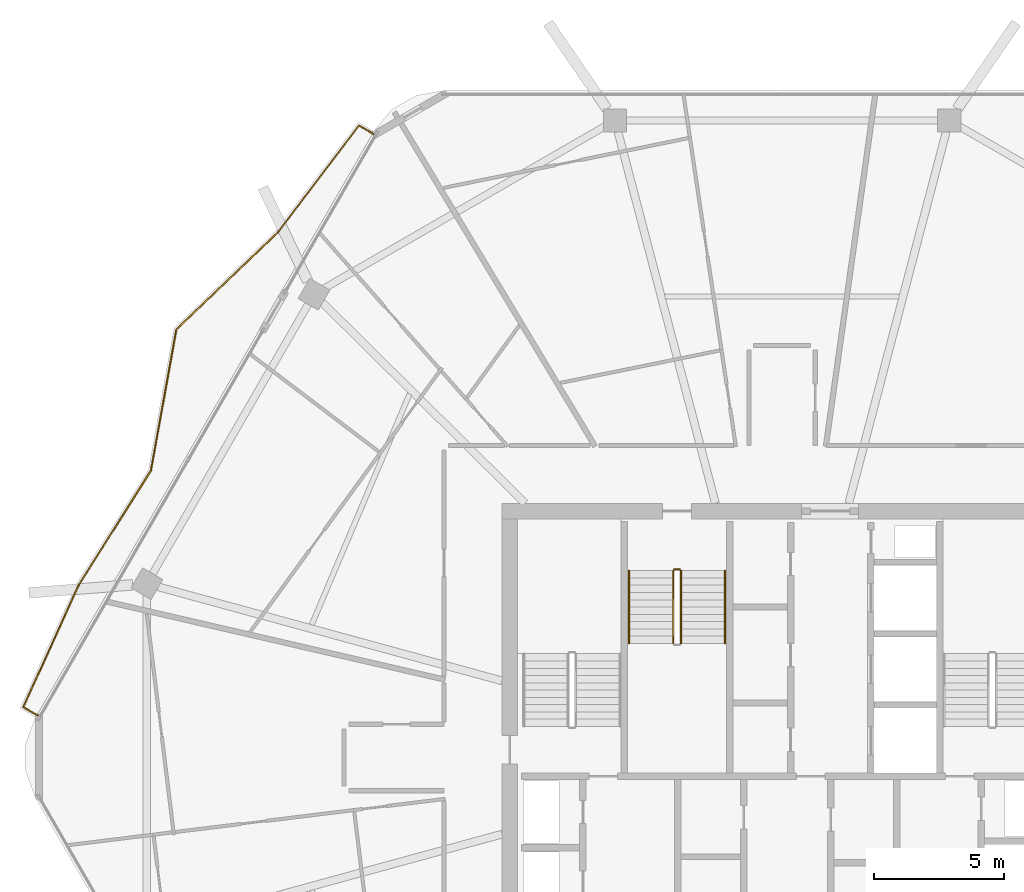
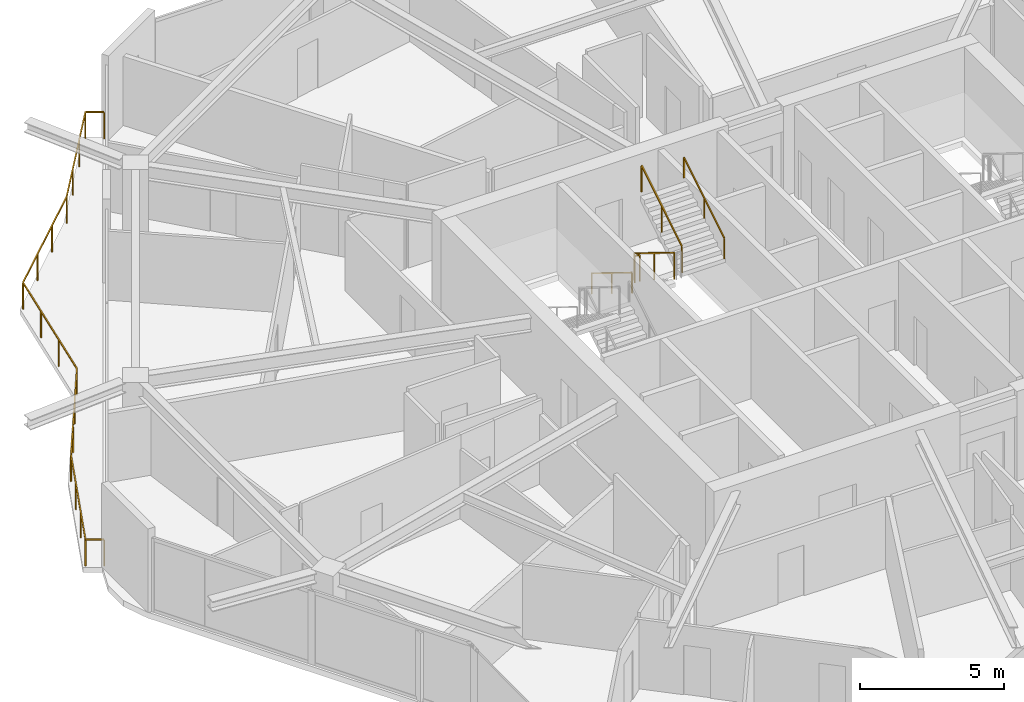
# One storey, part 25 of 25: 6 railings.
"""IFC4 building model written with IfcOpenShell, lengths in metres."""

from ifc_helpers import new_model, si_unit, direction, frame, origin, origin_2d, place, context, subcontext, project, spatial, rectangle, extrude, material, type_object, element, save


model = new_model("IFC4")

# Units and contexts
model_context = context("Model", 3, precision=1e-05, world=origin(), true_north=direction((0.0, 1.0)))
body_context = subcontext(model_context, "Body", "Model", "MODEL_VIEW")
ifc_project = project(units=[si_unit("LENGTHUNIT", "METRE"), si_unit("AREAUNIT", "SQUARE_METRE"), si_unit("VOLUMEUNIT", "CUBIC_METRE"), si_unit("PLANEANGLEUNIT", "RADIAN"), si_unit("MASSUNIT", "GRAM", prefix="KILO")], contexts=[model_context])

# Site, building, storey
site_placement = place(None, origin())
site = spatial("IfcSite", under=ifc_project, at=site_placement, CompositionType="ELEMENT")
building_placement = place(site_placement, origin())
building = spatial("IfcBuilding", under=site, at=building_placement, Name="Zuhravey Tower", CompositionType="ELEMENT")
storey_placement = place(building_placement, frame((0.0, 0.0, 257.800048828125)))
storey = spatial("IfcBuildingStorey", under=building, at=storey_placement, Name="L65", CompositionType="ELEMENT", Elevation=257.800048828125)

# Railings
ifc_material_1 = material(Name="Stainless steel 316 and laminated glass", Category="steel")
railing_type_1 = type_object("IfcRailingType", Name="Balcony & Terrace Guardrail 1150", PredefinedType="BALUSTRADE", material=ifc_material_1)
railing_1_placement = place(storey_placement, frame((7.31689453125, 33.61669921875, 0.0)))
element("IfcRailing", 1, at=railing_1_placement, inside=storey, type_object=railing_type_1, Name="L65 Face 3 Wave Balcony Guardrail GR1", PredefinedType="BALUSTRADE", context=body_context, shape_type="SweptSolid", body=[
    extrude(rectangle(XDim=0.048095703125, YDim=0.048095703125, at=origin_2d()), frame((-0.001708984375, 0.0009765625, 1.1259765625), z_axis=(-0.866060399857, 0.499939380126, 0.0), x_axis=(-0.499939380126, -0.866060399857, 0.0)), (0.0, 0.0, 1.0), 0.6455078125),
    extrude(rectangle(XDim=0.048095703125, YDim=0.048095703125, at=origin_2d()), frame((-0.561767578125, 0.326416015625, 1.1259765625), z_axis=(0.413044740451, 0.910710734748, 0.0), x_axis=(-0.910710734748, 0.413044740451, 0.0)), (0.0, 0.0, 1.0), 5.14013671875),
    extrude(rectangle(XDim=0.048095703125, YDim=0.048095703125, at=origin_2d()), frame((1.563232421875, 5.01123046875, 1.1259765625), z_axis=(0.533475091044, 0.84581577618, 0.0), x_axis=(-0.84581577618, 0.533475091044, 0.0)), (0.0, 0.0, 1.0), 5.229248046875),
    extrude(rectangle(XDim=0.048095703125, YDim=0.048095703125, at=origin_2d()), frame((4.354248046875, 9.437744140625, 1.1259765625), z_axis=(0.177599400422, 0.984102867067, 0.0), x_axis=(-0.984102867067, 0.177599400422, 0.0)), (0.0, 0.0, 1.0), 5.5263671875),
    extrude(rectangle(XDim=0.048095703125, YDim=0.048095703125, at=origin_2d()), frame((5.337646484375, 14.879638671875, 1.1259765625), z_axis=(0.722352622095, 0.69152490147, 0.0), x_axis=(-0.69152490147, 0.722352622095, 0.0)), (0.0, 0.0, 1.0), 5.405029296875),
    extrude(rectangle(XDim=0.048095703125, YDim=0.048095703125, at=origin_2d()), frame((9.24462890625, 18.620361328125, 1.1259765625), z_axis=(0.605132278271, 0.796124943583, 0.0), x_axis=(-0.796124943583, 0.605132278271, 0.0)), (0.0, 0.0, 1.0), 5.17431640625),
    extrude(rectangle(XDim=0.048095703125, YDim=0.048095703125, at=origin_2d()), frame((12.378662109375, 22.740234375, 1.1259765625), z_axis=(0.865998449813, -0.500046682742, 0.0), x_axis=(0.500046682742, 0.865998449813, 0.0)), (0.0, 0.0, 1.0), 0.647705078125),
    extrude(rectangle(XDim=0.0419921875, YDim=0.0419921875, at=origin_2d()), origin(), (0.0, 0.0, 1.0), 1.099853515625),
    extrude(rectangle(XDim=0.0419921875, YDim=0.0419921875, at=origin_2d()), frame((-0.5625, 0.32470703125, 0.0)), (0.0, 0.0, 1.0), 1.099853515625),
    extrude(rectangle(XDim=0.0419921875, YDim=0.0419921875, at=origin_2d()), frame((0.145751953125, 1.88623046875, 0.0)), (0.0, 0.0, 1.0), 1.099853515625),
    extrude(rectangle(XDim=0.0419921875, YDim=0.0419921875, at=origin_2d()), frame((0.85400390625, 3.447998046875, 0.0)), (0.0, 0.0, 1.0), 1.099853515625),
    extrude(rectangle(XDim=0.0419921875, YDim=0.0419921875, at=origin_2d()), frame((1.562255859375, 5.009521484375, 0.0)), (0.0, 0.0, 1.0), 1.099853515625),
    extrude(rectangle(XDim=0.0419921875, YDim=0.0419921875, at=origin_2d()), frame((2.492919921875, 6.48486328125, 0.0)), (0.0, 0.0, 1.0), 1.099853515625),
    extrude(rectangle(XDim=0.0419921875, YDim=0.0419921875, at=origin_2d()), frame((3.42333984375, 7.96044921875, 0.0)), (0.0, 0.0, 1.0), 1.099853515625),
    extrude(rectangle(XDim=0.0419921875, YDim=0.0419921875, at=origin_2d()), frame((4.35400390625, 9.435791015625, 0.0)), (0.0, 0.0, 1.0), 1.099853515625),
    extrude(rectangle(XDim=0.0419921875, YDim=0.0419921875, at=origin_2d()), frame((4.681396484375, 11.25, 0.0)), (0.0, 0.0, 1.0), 1.099853515625),
    extrude(rectangle(XDim=0.0419921875, YDim=0.0419921875, at=origin_2d()), frame((5.0087890625, 13.06396484375, 0.0)), (0.0, 0.0, 1.0), 1.099853515625),
    extrude(rectangle(XDim=0.0419921875, YDim=0.0419921875, at=origin_2d()), frame((5.336181640625, 14.878173828125, 0.0)), (0.0, 0.0, 1.0), 1.099853515625),
    extrude(rectangle(XDim=0.0419921875, YDim=0.0419921875, at=origin_2d()), frame((6.638671875, 16.125, 0.0)), (0.0, 0.0, 1.0), 1.099853515625),
    extrude(rectangle(XDim=0.0419921875, YDim=0.0419921875, at=origin_2d()), frame((7.94091796875, 17.371826171875, 0.0)), (0.0, 0.0, 1.0), 1.099853515625),
    extrude(rectangle(XDim=0.0419921875, YDim=0.0419921875, at=origin_2d()), frame((9.243408203125, 18.61865234375, 0.0)), (0.0, 0.0, 1.0), 1.099853515625),
    extrude(rectangle(XDim=0.0419921875, YDim=0.0419921875, at=origin_2d()), frame((10.287841796875, 19.992919921875, 0.0)), (0.0, 0.0, 1.0), 1.099853515625),
    extrude(rectangle(XDim=0.0419921875, YDim=0.0419921875, at=origin_2d()), frame((11.33251953125, 21.366943359375, 0.0)), (0.0, 0.0, 1.0), 1.099853515625),
    extrude(rectangle(XDim=0.0419921875, YDim=0.0419921875, at=origin_2d()), frame((12.376953125, 22.7412109375, 0.0)), (0.0, 0.0, 1.0), 1.099853515625),
    extrude(rectangle(XDim=0.0419921875, YDim=0.0419921875, at=origin_2d()), frame((12.94140625, 22.415283203125, 0.0)), (0.0, 0.0, 1.0), 1.099853515625),
])
ifc_material_2 = material(Name="Brushed stainless steel", Category="steel")
railing_type_2 = type_object("IfcRailingType", Name="Stair Wall Handrail 900", PredefinedType="HANDRAIL", material=ifc_material_2)
railing_2_placement = place(storey_placement, frame((30.10009765625, 39.199951171875, 0.172607421875)))
element("IfcRailing", 2, at=railing_2_placement, inside=storey, type_object=railing_type_2, Name="L65 ST3 stair handrail 1", PredefinedType="HANDRAIL", context=body_context, shape_type="SweptSolid", body=[
    extrude(rectangle(XDim=0.048095703125, YDim=0.048095703125, at=origin_2d()), frame((0.0, -0.001708984375, 0.876953125), z_axis=(0.0, -0.851089632645, 0.525020415988), x_axis=(1.0, 0.0, 0.0)), (0.0, 0.0, 1.0), 3.285888671875),
    extrude(rectangle(XDim=0.0419921875, YDim=0.0419921875, at=origin_2d()), origin(), (0.0, 0.0, 1.0), 0.849853515625),
    extrude(rectangle(XDim=0.0419921875, YDim=0.0419921875, at=origin_2d()), frame((0.0, -1.39990234375, 0.86376953125)), (0.0, 0.0, 1.0), 0.849853515625),
    extrude(rectangle(XDim=0.0419921875, YDim=0.0419921875, at=origin_2d()), frame((0.0, -2.800048828125, 1.727294921875)), (0.0, 0.0, 1.0), 0.849853515625),
])
railing_3_placement = place(storey_placement, frame((33.800048828125, 36.39990234375, 2.07275390625)))
element("IfcRailing", 3, at=railing_3_placement, inside=storey, type_object=railing_type_2, Name="L65 ST3 stair handrail 2", PredefinedType="HANDRAIL", context=body_context, shape_type="SweptSolid", body=[
    extrude(rectangle(XDim=0.048095703125, YDim=0.048095703125, at=origin_2d()), frame((0.0, 0.001708984375, 0.876953125), z_axis=(0.0, 0.851089632645, 0.525020415988), x_axis=(-1.0, 0.0, 0.0)), (0.0, 0.0, 1.0), 3.285888671875),
    extrude(rectangle(XDim=0.0419921875, YDim=0.0419921875, at=origin_2d()), origin(), (0.0, 0.0, 1.0), 0.849853515625),
    extrude(rectangle(XDim=0.0419921875, YDim=0.0419921875, at=origin_2d()), frame((0.0, 1.39990234375, 0.86376953125)), (0.0, 0.0, 1.0), 0.849853515625),
    extrude(rectangle(XDim=0.0419921875, YDim=0.0419921875, at=origin_2d()), frame((0.0, 2.800048828125, 1.727294921875)), (0.0, 0.0, 1.0), 0.849853515625),
])
ifc_material_3 = material(Name="Painted tubular steel", Category="steel")
railing_type_3 = type_object("IfcRailingType", Name="Stair Well Guardrail 1150", PredefinedType="GUARDRAIL", material=ifc_material_3)
railing_4_placement = place(storey_placement, frame((31.800048828125, 39.199951171875, 0.172607421875)))
element("IfcRailing", 4, at=railing_4_placement, inside=storey, type_object=railing_type_3, Name="L65 ST3 stair guard 1", PredefinedType="GUARDRAIL", context=body_context, shape_type="SweptSolid", body=[
    extrude(rectangle(XDim=0.048095703125, YDim=0.048095703125, at=origin_2d()), frame((0.0, -0.001708984375, 1.126953125), z_axis=(0.0, -0.851089632645, 0.525020415988), x_axis=(1.0, 0.0, 0.0)), (0.0, 0.0, 1.0), 3.285888671875),
    extrude(rectangle(XDim=0.0419921875, YDim=0.0419921875, at=origin_2d()), origin(), (0.0, 0.0, 1.0), 1.099853515625),
    extrude(rectangle(XDim=0.0419921875, YDim=0.0419921875, at=origin_2d()), frame((0.0, -1.39990234375, 0.86376953125)), (0.0, 0.0, 1.0), 1.099853515625),
    extrude(rectangle(XDim=0.0419921875, YDim=0.0419921875, at=origin_2d()), frame((0.0, -2.800048828125, 1.727294921875)), (0.0, 0.0, 1.0), 1.099853515625),
])
railing_5_placement = place(storey_placement, frame((32.10009765625, 36.39990234375, 2.07275390625)))
element("IfcRailing", 5, at=railing_5_placement, inside=storey, type_object=railing_type_3, Name="L65 ST3 stair guard 3", PredefinedType="GUARDRAIL", context=body_context, shape_type="SweptSolid", body=[
    extrude(rectangle(XDim=0.048095703125, YDim=0.048095703125, at=origin_2d()), frame((0.0, 0.001708984375, 1.126953125), z_axis=(0.0, 0.851089632645, 0.525020415988), x_axis=(-1.0, 0.0, 0.0)), (0.0, 0.0, 1.0), 3.285888671875),
    extrude(rectangle(XDim=0.0419921875, YDim=0.0419921875, at=origin_2d()), origin(), (0.0, 0.0, 1.0), 1.099853515625),
    extrude(rectangle(XDim=0.0419921875, YDim=0.0419921875, at=origin_2d()), frame((0.0, 1.39990234375, 0.86376953125)), (0.0, 0.0, 1.0), 1.099853515625),
    extrude(rectangle(XDim=0.0419921875, YDim=0.0419921875, at=origin_2d()), frame((0.0, 2.800048828125, 1.727294921875)), (0.0, 0.0, 1.0), 1.099853515625),
])
railing_6_placement = place(storey_placement, frame((31.85009765625, 39.25, 0.0)))
element("IfcRailing", 6, at=railing_6_placement, inside=storey, type_object=railing_type_3, Name="L65 ST3 stair guard 4", PredefinedType="GUARDRAIL", context=body_context, shape_type="SweptSolid", body=[
    extrude(rectangle(XDim=0.048095703125, YDim=0.048095703125, at=origin_2d()), frame((0.001953125, 0.0, 1.1259765625), z_axis=(1.0, 0.0, 0.0), x_axis=(0.0, 1.0, 0.0)), (0.0, 0.0, 1.0), 0.196044921875),
    extrude(rectangle(XDim=0.0419921875, YDim=0.0419921875, at=origin_2d()), origin(), (0.0, 0.0, 1.0), 1.099853515625),
    extrude(rectangle(XDim=0.0419921875, YDim=0.0419921875, at=origin_2d()), frame((0.199951171875, 0.0, 0.0)), (0.0, 0.0, 1.0), 1.099853515625),
])

save(model, "model.ifc")
